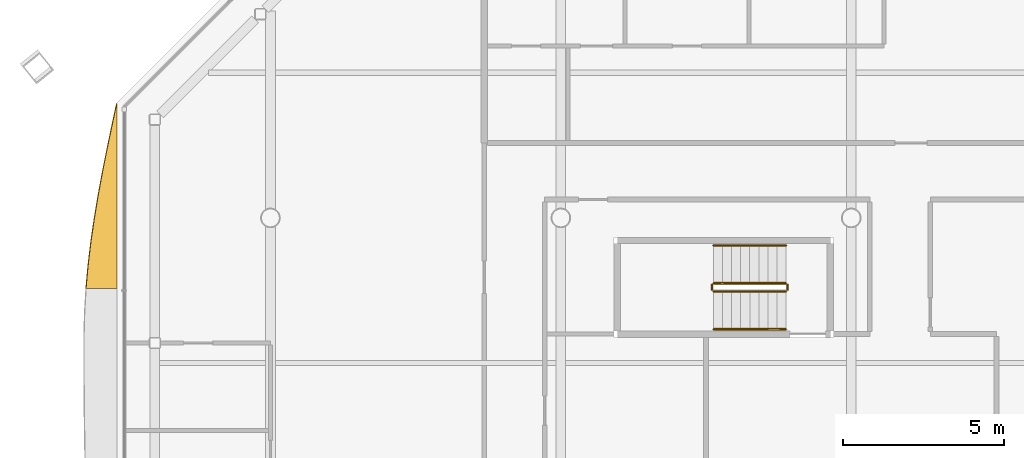
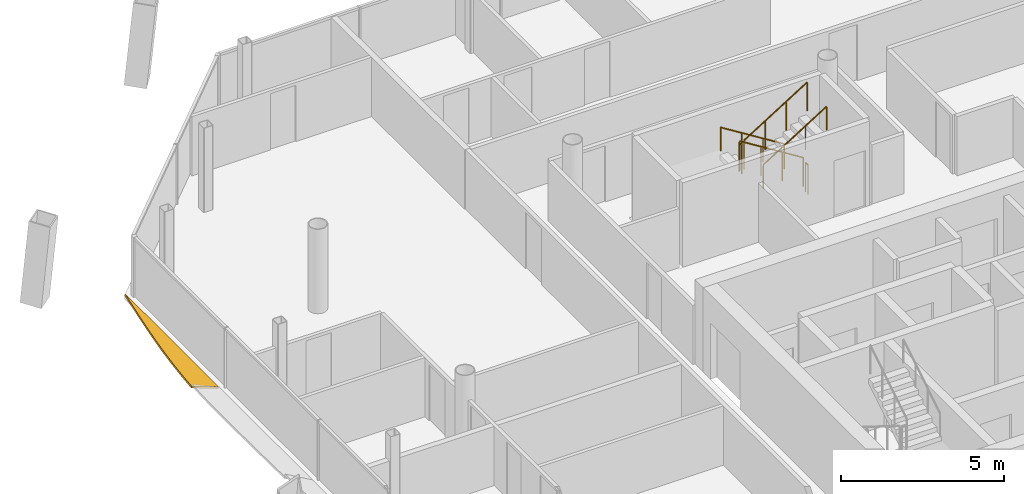
# One storey, part 17 of 19: 6 railings, 1 shading device.
"""IFC4 building model written with IfcOpenShell, lengths in metres."""

from ifc_helpers import new_model, si_unit, direction, frame, origin, origin_2d, place, context, subcontext, project, spatial, polyline, circle, outline, extrude, material, layer, layer_set, type_object, element, save


model = new_model("IFC4")

# Units and contexts
model_context = context("Model", 3, precision=1e-05, world=origin(), true_north=direction((0.0, 1.0)))
body_context = subcontext(model_context, "Body", "Model", "MODEL_VIEW")
ifc_project = project(units=[si_unit("LENGTHUNIT", "METRE"), si_unit("AREAUNIT", "SQUARE_METRE"), si_unit("VOLUMEUNIT", "CUBIC_METRE"), si_unit("PLANEANGLEUNIT", "RADIAN"), si_unit("MASSUNIT", "GRAM", prefix="KILO")], contexts=[model_context])

# Site, building, storey
site_placement = place(None, origin())
site = spatial("IfcSite", under=ifc_project, at=site_placement, CompositionType="ELEMENT")
building_placement = place(site_placement, origin())
building = spatial("IfcBuilding", under=site, at=building_placement, Name="Tskaro Facet Tower", CompositionType="ELEMENT")
storey_placement = place(building_placement, frame((0.0, 0.0, 206.85009765625)))
storey = spatial("IfcBuildingStorey", under=building, at=storey_placement, Name="L53", CompositionType="ELEMENT", Elevation=206.85009765625)

# Shading device
ifc_material_1 = material(Name="Bronze anodised aluminium 6063-T6", Category="aluminium")
ifc_layer = layer(ifc_material_1, 0.06005859375, Name="Bronze anodised aluminium 6063-T6")
ifc_layer_set = layer_set([ifc_layer], Name="Bronze anodised aluminium 6063-T6")
shading_device_type = type_object("IfcShadingDeviceType", Name="Bronze sun blade (FN1)", PredefinedType="USERDEFINED", material=ifc_layer_set)
shading_device_placement = place(storey_placement, frame((-22.762451171875, 12.54296875, 0.056396484375), z_axis=(0.34189589387, 7.626583e-06, 0.939737834556), x_axis=(2.607498e-06, -0.999999999971, 7.166989e-06)))
element("IfcShadingDevice", 1, at=shading_device_placement, inside=storey, type_object=shading_device_type, Name="Fin blade west 1", ObjectType="FIN", PredefinedType="USERDEFINED", context=body_context, shape_type="SweptSolid", body=[
    extrude(outline(polyline([(0.0, 0.0), (5.734619140458224, -2.4287056760322584e-21), (5.734619140793286, -1.012443046605074), (5.017822266059229, -0.9430890662485802), (4.301025389920297, -0.8521049557698394), (3.5839843747709015, -0.7419729221953779), (2.8671874996311675, -0.6149247605200722), (2.1503906256223115, -0.47390153413499153), (1.433593749717845, -0.32213622144131465), (0.7167968747771328, -0.16288278468959913), (0.0, 0.0)])), origin(), (0.0, 0.0, -1.0), 0.06005859375),
])

# Railings
ifc_material_2 = material(Name="Stainless steel", Category="steel")
railing_type_1 = type_object("IfcRailingType", Name="RL-GUARD-1100", PredefinedType="GUARDRAIL", material=ifc_material_2)
railing_1_placement = place(storey_placement, frame((-2.02490234375, 6.97509765625, 0.1748046875)))
element("IfcRailing", 2, at=railing_1_placement, inside=storey, type_object=railing_type_1, Name="L53 ST-3 stair guard 1", PredefinedType="GUARDRAIL", context=body_context, shape_type="SweptSolid", body=[
    extrude(circle(Radius=0.02392578125, at=origin_2d()), frame((0.0, 0.0, 1.076171875), z_axis=(-0.847972341737, 0.0, 0.530040477369), x_axis=(0.0, -1.0, 0.0)), (0.0, 0.0, 1.0), 2.6416015625),
    extrude(circle(Radius=0.02099609375, at=origin_2d()), origin(), (0.0, 0.0, 1.0), 1.052001953125),
    extrude(circle(Radius=0.02099609375, at=origin_2d()), frame((-0.74658203125, 0.0, 0.466796875)), (0.0, 0.0, 1.0), 1.052001953125),
    extrude(circle(Radius=0.02099609375, at=origin_2d()), frame((-1.493408203125, 0.0, 0.933349609375)), (0.0, 0.0, 1.0), 1.052001953125),
    extrude(circle(Radius=0.02099609375, at=origin_2d()), frame((-2.239990234375, 0.0, 1.400146484375)), (0.0, 0.0, 1.0), 1.052001953125),
])
railing_2_placement = place(storey_placement, frame((-4.31494140625, 6.925048828125, 1.574951171875)))
element("IfcRailing", 3, at=railing_2_placement, inside=storey, type_object=railing_type_1, Name="L53 ST-3 stair guard 2", PredefinedType="GUARDRAIL", context=body_context, shape_type="SweptSolid", body=[
    extrude(circle(Radius=0.02392578125, at=origin_2d()), frame((0.0, 0.0, 1.076171875), z_axis=(0.0, -1.0, 0.0), x_axis=(1.0, 0.0, 0.0)), (0.0, 0.0, 1.0), 0.150146484375),
    extrude(circle(Radius=0.02099609375, at=origin_2d()), origin(), (0.0, 0.0, 1.0), 1.052001953125),
    extrude(circle(Radius=0.02099609375, at=origin_2d()), frame((0.0, -0.150146484375, 0.0)), (0.0, 0.0, 1.0), 1.052001953125),
])
railing_3_placement = place(storey_placement, frame((-4.264892578125, 6.72509765625, 1.75)))
element("IfcRailing", 4, at=railing_3_placement, inside=storey, type_object=railing_type_1, Name="L53 ST-3 stair guard 3", PredefinedType="GUARDRAIL", context=body_context, shape_type="SweptSolid", body=[
    extrude(circle(Radius=0.02392578125, at=origin_2d()), frame((0.0, 0.0, 1.076171875), z_axis=(0.848013881152, 0.0, 0.529974015752), x_axis=(0.0, 1.0, 0.0)), (0.0, 0.0, 1.0), 2.641357421875),
    extrude(circle(Radius=0.02099609375, at=origin_2d()), origin(), (0.0, 0.0, 1.0), 1.052001953125),
    extrude(circle(Radius=0.02099609375, at=origin_2d()), frame((0.74658203125, 0.0, 0.466552734375)), (0.0, 0.0, 1.0), 1.052001953125),
    extrude(circle(Radius=0.02099609375, at=origin_2d()), frame((1.493408203125, 0.0, 0.933349609375)), (0.0, 0.0, 1.0), 1.052001953125),
    extrude(circle(Radius=0.02099609375, at=origin_2d()), frame((2.239990234375, 0.0, 1.39990234375)), (0.0, 0.0, 1.0), 1.052001953125),
])
railing_4_placement = place(storey_placement, frame((-1.97509765625, 6.925048828125, 0.0)))
element("IfcRailing", 5, at=railing_4_placement, inside=storey, type_object=railing_type_1, Name="L53 ST-3 stair guard 4", PredefinedType="GUARDRAIL", context=body_context, shape_type="SweptSolid", body=[
    extrude(circle(Radius=0.02392578125, at=origin_2d()), frame((0.0, 0.0, 1.076171875), z_axis=(0.0, -1.0, 0.0), x_axis=(1.0, 0.0, 0.0)), (0.0, 0.0, 1.0), 0.150146484375),
    extrude(circle(Radius=0.02099609375, at=origin_2d()), origin(), (0.0, 0.0, 1.0), 1.052001953125),
    extrude(circle(Radius=0.02099609375, at=origin_2d()), frame((0.0, -0.150146484375, 0.0)), (0.0, 0.0, 1.0), 1.052001953125),
])
railing_type_2 = type_object("IfcRailingType", Name="RL-HANDRAIL-900", PredefinedType="HANDRAIL", material=ifc_material_2)
railing_5_placement = place(storey_placement, frame((-2.02490234375, 8.14990234375, 0.1748046875)))
element("IfcRailing", 6, at=railing_5_placement, inside=storey, type_object=railing_type_2, Name="L53 ST-3 stair handrail 1", PredefinedType="HANDRAIL", context=body_context, shape_type="SweptSolid", body=[
    extrude(circle(Radius=0.02392578125, at=origin_2d()), frame((0.0, 0.0, 0.8759765625), z_axis=(-0.847972341737, 0.0, 0.530040477369), x_axis=(0.0, -1.0, 0.0)), (0.0, 0.0, 1.0), 2.6416015625),
    extrude(circle(Radius=0.02099609375, at=origin_2d()), origin(), (0.0, 0.0, 1.0), 0.851806640625),
    extrude(circle(Radius=0.02099609375, at=origin_2d()), frame((-0.74658203125, 0.0, 0.466796875)), (0.0, 0.0, 1.0), 0.851806640625),
    extrude(circle(Radius=0.02099609375, at=origin_2d()), frame((-1.493408203125, 0.0, 0.933349609375)), (0.0, 0.0, 1.0), 0.851806640625),
    extrude(circle(Radius=0.02099609375, at=origin_2d()), frame((-2.239990234375, 0.0, 1.400146484375)), (0.0, 0.0, 1.0), 0.851806640625),
])
railing_6_placement = place(storey_placement, frame((-4.264892578125, 5.550048828125, 1.75)))
element("IfcRailing", 7, at=railing_6_placement, inside=storey, type_object=railing_type_2, Name="L53 ST-3 stair handrail 2", PredefinedType="HANDRAIL", context=body_context, shape_type="SweptSolid", body=[
    extrude(circle(Radius=0.02392578125, at=origin_2d()), frame((0.0, 0.0, 0.8759765625), z_axis=(0.848013881152, 0.0, 0.529974015752), x_axis=(0.0, 1.0, 0.0)), (0.0, 0.0, 1.0), 2.641357421875),
    extrude(circle(Radius=0.02099609375, at=origin_2d()), origin(), (0.0, 0.0, 1.0), 0.851806640625),
    extrude(circle(Radius=0.02099609375, at=origin_2d()), frame((0.74658203125, 0.0, 0.466552734375)), (0.0, 0.0, 1.0), 0.851806640625),
    extrude(circle(Radius=0.02099609375, at=origin_2d()), frame((1.493408203125, 0.0, 0.933349609375)), (0.0, 0.0, 1.0), 0.851806640625),
    extrude(circle(Radius=0.02099609375, at=origin_2d()), frame((2.239990234375, 0.0, 1.39990234375)), (0.0, 0.0, 1.0), 0.851806640625),
])

save(model, "model.ifc")
